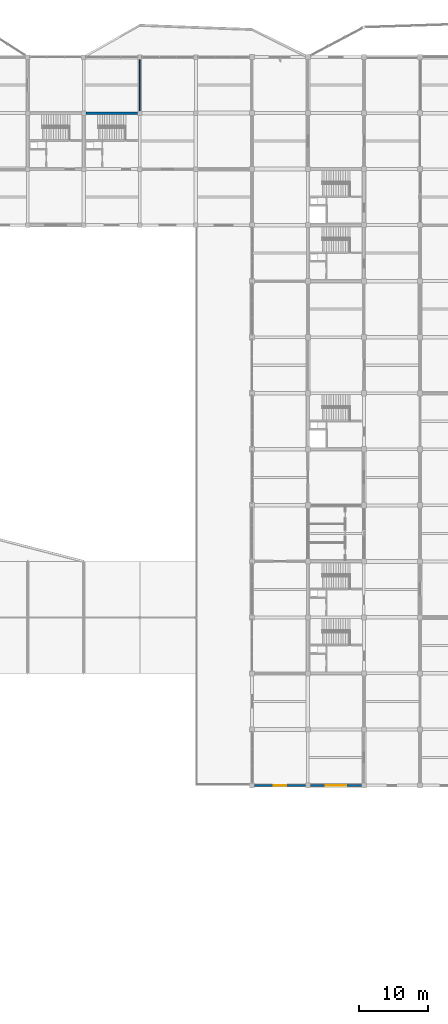
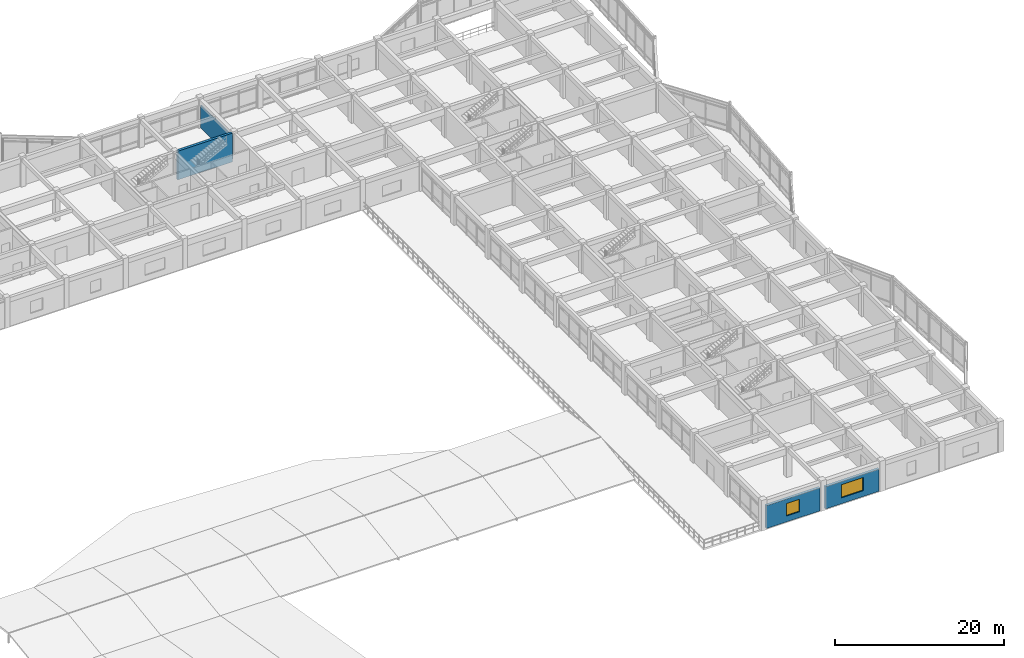
# One storey, part 50 of 70: 4 walls, 2 windows, 2 openings.
"""IFC4 building model written with IfcOpenShell, lengths in metres."""

from ifc_helpers import new_model, si_unit, direction, frame, frame_2d, origin, place, context, subcontext, project, spatial, rectangle, extrude, material, layer, layer_set, type_object, element, fill, save


model = new_model("IFC4")

# Units and contexts
model_context = context("Model", 3, precision=1e-05, world=origin(), true_north=direction((0.0, 1.0)))
body_context = subcontext(model_context, "Body", "Model", "MODEL_VIEW")
ifc_project = project(units=[si_unit("LENGTHUNIT", "METRE"), si_unit("AREAUNIT", "SQUARE_METRE"), si_unit("VOLUMEUNIT", "CUBIC_METRE"), si_unit("PLANEANGLEUNIT", "RADIAN"), si_unit("MASSUNIT", "GRAM", prefix="KILO")], contexts=[model_context])

# Site, building, storey
site_placement = place(None, origin())
site = spatial("IfcSite", under=ifc_project, at=site_placement, CompositionType="ELEMENT")
building_placement = place(site_placement, origin())
building = spatial("IfcBuilding", under=site, at=building_placement, Name="Vaudrelin Polytechnic", CompositionType="ELEMENT")
storey_placement = place(building_placement, frame((0.0, 0.0, 14.110107421875)))
storey = spatial("IfcBuildingStorey", under=building, at=storey_placement, Name="L03", CompositionType="ELEMENT", Elevation=14.110107421875)

# Wall, opening, window
ifc_material_1 = material(Name="Precast concrete 35 MPa with terracotta baguette screen", Category="masonry")
ifc_layer_1 = layer(ifc_material_1, 0.35009765625)
ifc_layer_set_1 = layer_set([ifc_layer_1], Name="Precast concrete 35 MPa with terracotta baguette screen")
wall_type_1 = type_object("IfcWallType", Name="WAL-EW-TERR350", PredefinedType="STANDARD", material=ifc_layer_set_1)
wall_1_placement = place(storey_placement, frame((138.072998046875, 16.199951171875, 0.0), z_axis=(0.0, 0.0, 1.0), x_axis=(1.0, 0.0, 0.0)))
wall_1 = element("IfcWall", 1, at=wall_1_placement, inside=storey, type_object=wall_type_1, Name="Exterior wall L03 S_V4_00", PredefinedType="STANDARD", context=body_context, shape_type="SweptSolid", body=[
    extrude(rectangle(XDim=7.35400390625, YDim=0.35009765625, at=frame_2d((3.677001953125, 0.0))), origin(), (0.0, 0.0, 1.0), 3.31201171875),
])
opening_1_placement = place(wall_1_placement, frame((2.777099609375, 0.0, 0.85009765625)))
opening_1 = element("IfcOpeningElement", 2, at=opening_1_placement, cuts=wall_1, Name="Opening W-L03-S-V4-01", PredefinedType="OPENING", context=body_context, shape_type="SweptSolid", body=[
    extrude(rectangle(XDim=1.800048828125, YDim=1.800048828125, at=frame_2d((0.89990234375, 0.89990234375))), frame((0.0, 0.18505859375, 0.0), z_axis=(0.0, -1.0, 0.0), x_axis=(1.0, 0.0, 0.0)), (0.0, 0.0, 1.0), 0.3701171875),
])
ifc_material_2 = material(Name="Thermally broken aluminium frame with triple low-e glazing", Category="aluminium")
window_type_1 = type_object("IfcWindowType", Name="WIN-WN-02", PartitioningType="SINGLE_PANEL", PredefinedType="WINDOW", material=ifc_material_2)
window_1_placement = place(opening_1_placement, origin())
window_1 = element("IfcWindow", 3, at=window_1_placement, inside=storey, type_object=window_type_1, Name="Facade window L03-S_V4_00", OverallHeight=1.800048828125, OverallWidth=1.800048828125, PartitioningType="SINGLE_PANEL", PredefinedType="WINDOW", context=body_context, shape_type="SweptSolid", body=[
    extrude(rectangle(XDim=1.800048828125, YDim=1.800048828125, at=frame_2d((0.89990234375, 0.89990234375))), frame((0.0, 0.030029296875, 0.0), z_axis=(0.0, -1.0, 0.0), x_axis=(1.0, 0.0, 0.0)), (0.0, 0.0, 1.0), 0.06005859375),
])
fill(opening_1, window_1)

wall_2_placement = place(storey_placement, frame((146.173095703125, 16.199951171875, 0.0), z_axis=(0.0, 0.0, 1.0), x_axis=(1.0, 0.0, 0.0)))
wall_2 = element("IfcWall", 4, at=wall_2_placement, inside=storey, type_object=wall_type_1, Name="Exterior wall L03 S_V4_01", PredefinedType="STANDARD", context=body_context, shape_type="SweptSolid", body=[
    extrude(rectangle(XDim=7.35400390625, YDim=0.35009765625, at=frame_2d((3.677001953125, 0.0))), origin(), (0.0, 0.0, 1.0), 3.2119140625),
])
opening_2_placement = place(wall_2_placement, frame((2.177001953125, 0.0, 0.85009765625)))
opening_2 = element("IfcOpeningElement", 5, at=opening_2_placement, cuts=wall_2, Name="Opening W-L03-S-V4-02", PredefinedType="OPENING", context=body_context, shape_type="SweptSolid", body=[
    extrude(rectangle(XDim=3.0, YDim=1.89990234375, at=frame_2d((1.5, 0.949951171875))), frame((0.0, 0.18505859375, 0.0), z_axis=(0.0, -1.0, 0.0), x_axis=(1.0, 0.0, 0.0)), (0.0, 0.0, 1.0), 0.3701171875),
])
window_type_2 = type_object("IfcWindowType", Name="WIN-WN-03", PartitioningType="SINGLE_PANEL", PredefinedType="WINDOW", material=ifc_material_2)
window_2_placement = place(opening_2_placement, origin())
window_2 = element("IfcWindow", 6, at=window_2_placement, inside=storey, type_object=window_type_2, Name="Facade window L03-S_V4_01", OverallHeight=1.89990234375, OverallWidth=3.0, PartitioningType="SINGLE_PANEL", PredefinedType="WINDOW", context=body_context, shape_type="SweptSolid", body=[
    extrude(rectangle(XDim=3.0, YDim=1.89990234375, at=frame_2d((1.5, 0.949951171875))), frame((0.0, 0.030029296875, 0.0), z_axis=(0.0, -1.0, 0.0), x_axis=(1.0, 0.0, 0.0)), (0.0, 0.0, 1.0), 0.06005859375),
])
fill(opening_2, window_2)

# Walls
ifc_material_3 = material(Name="Pin-up plywood & acoustic gypsum studio partition", Category="wood")
ifc_layer_2 = layer(ifc_material_3, 0.14990234375)
ifc_layer_set_2 = layer_set([ifc_layer_2], Name="Pin-up plywood & acoustic gypsum studio partition")
wall_type_2 = type_object("IfcWallType", Name="WAL-PW-STU150", PredefinedType="PARTITIONING", material=ifc_layer_set_2)
wall_3_placement = place(storey_placement, frame((121.5, 113.722900390625, 0.0), z_axis=(0.0, 0.0, 1.0), x_axis=(0.0, 1.0, 0.0)))
element("IfcWall", 7, at=wall_3_placement, inside=storey, type_object=wall_type_2, Name="Partition L03-006 W", PredefinedType="PARTITIONING", context=body_context, shape_type="SweptSolid", body=[
    extrude(rectangle(XDim=7.4541015625, YDim=0.14990234375, at=frame_2d((3.72705078125, 0.0))), origin(), (0.0, 0.0, 1.0), 3.302001953125),
])
ifc_material_4 = material(Name="Concrete 50 MPa", Category="concrete")
ifc_layer_3 = layer(ifc_material_4, 0.35009765625)
ifc_layer_set_3 = layer_set([ifc_layer_3], Name="Concrete 50 MPa")
wall_type_3 = type_object("IfcWallType", Name="WAL-SW-CORE350", PredefinedType="SHEAR", material=ifc_layer_set_3)
wall_4_placement = place(storey_placement, frame((113.722900390625, 113.39990234375, 0.0), z_axis=(0.0, 0.0, 1.0), x_axis=(1.0, 0.0, 0.0)))
element("IfcWall", 8, at=wall_4_placement, inside=storey, type_object=wall_type_3, Name="Core C10 N shear wall L03", PredefinedType="SHEAR", context=body_context, shape_type="SweptSolid", body=[
    extrude(rectangle(XDim=7.4541015625, YDim=0.35009765625, at=frame_2d((3.72705078125, 0.0))), origin(), (0.0, 0.0, 1.0), 4.15185546875),
])

save(model, "model.ifc")
